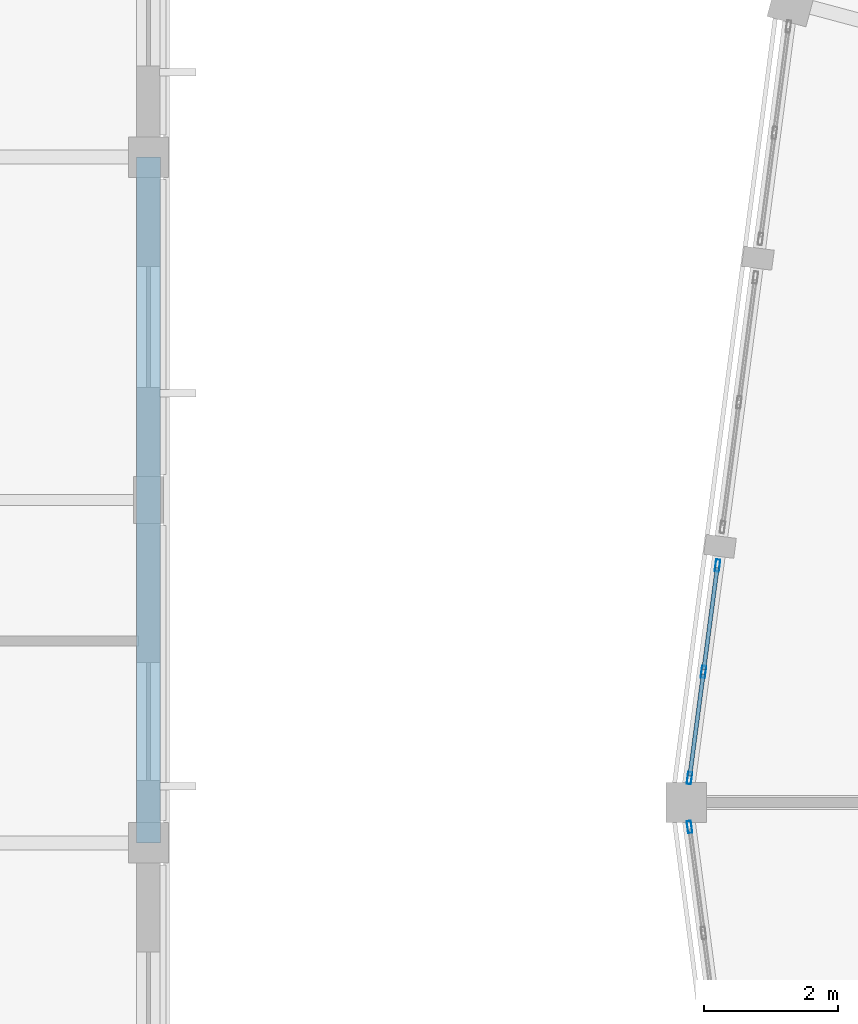
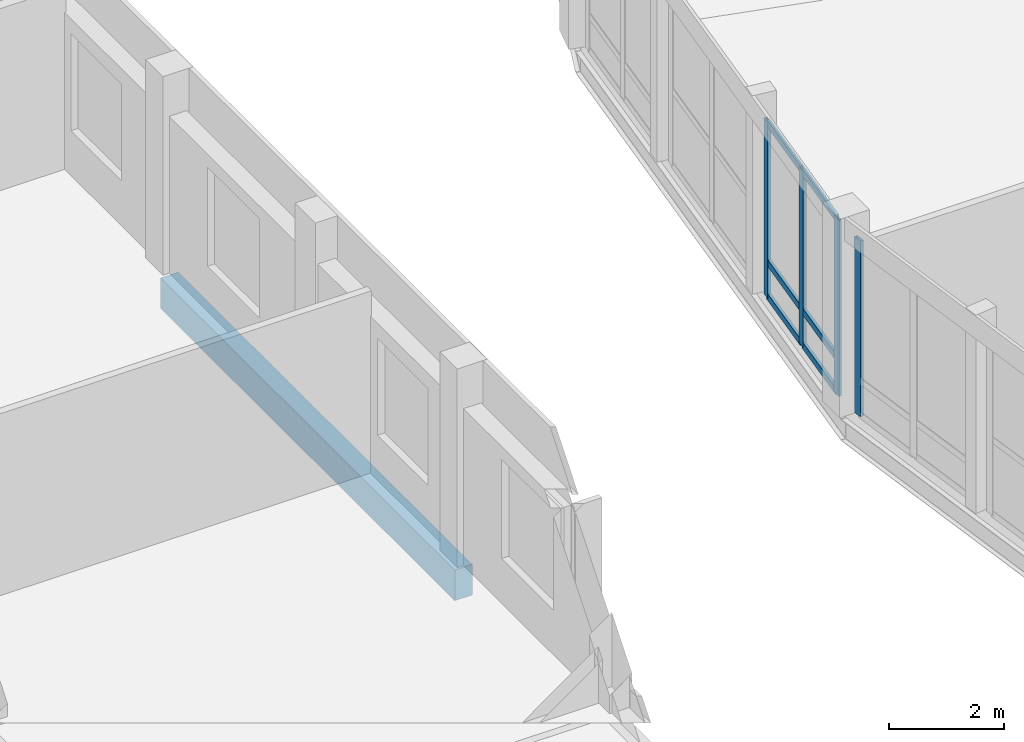
# One storey, part 60 of 185: 10 members, 1 beam, 2 elements without a shape of their own.
"""IFC4 building model written with IfcOpenShell, lengths in metres."""

from ifc_helpers import new_model, si_unit, direction, frame, origin, origin_2d, place, context, subcontext, project, spatial, rectangle, hollow_rectangle, extrude, material, material_profile, profile_set, type_object, element, aggregate, save


model = new_model("IFC4")

# Units and contexts
model_context = context("Model", 3, precision=1e-05, world=origin(), true_north=direction((0.0, 1.0)))
body_context = subcontext(model_context, "Body", "Model", "MODEL_VIEW")
ifc_project = project(units=[si_unit("LENGTHUNIT", "METRE"), si_unit("AREAUNIT", "SQUARE_METRE"), si_unit("VOLUMEUNIT", "CUBIC_METRE"), si_unit("PLANEANGLEUNIT", "RADIAN"), si_unit("MASSUNIT", "GRAM", prefix="KILO")], contexts=[model_context])

# Site, building, storey
site_placement = place(None, origin())
site = spatial("IfcSite", under=ifc_project, at=site_placement, CompositionType="ELEMENT")
building_placement = place(site_placement, origin())
building = spatial("IfcBuilding", under=site, at=building_placement, Name="Vondelvale Polytechnic", CompositionType="ELEMENT")
storey_placement = place(building_placement, frame((0.0, 0.0, 9.60009765625)))
storey = spatial("IfcBuildingStorey", under=building, at=storey_placement, Name="L02", CompositionType="ELEMENT", Elevation=9.60009765625)

# Curtain wall, members
ifc_material_1 = material(Name="Glulam GL18 structural Tasmanian oak (fb = 42 MPa)", Category="wood")
curtain_wall_type = type_object("IfcCurtainWallType", Name="CW-RING-OUTER", PredefinedType="NOTDEFINED", material=ifc_material_1)
curtain_wall_1_placement = place(storey_placement, origin())
curtain_wall_1 = element("IfcCurtainWall", 1, at=curtain_wall_1_placement, inside=storey, type_object=curtain_wall_type, Name="L02 architectural curtain wall CW-04-251", PredefinedType="NOTDEFINED")
ifc_material_2 = material(Name="Anodised extruded aluminium 6063-T6", Category="aluminium")
ifc_material_profile_1 = material_profile(ifc_material_2, hollow_rectangle(XDim=0.06494140625, YDim=0.179931640625, WallThickness=0.00390625, at=origin_2d()), Name="CW-MUL-180x65")
ifc_profile_set_1 = profile_set([ifc_material_profile_1], Name="Anodised extruded aluminium 6063-T6")
member_type_1 = type_object("IfcMemberType", Name="CW-MUL-65x180", PredefinedType="MULLION", material=ifc_profile_set_1)
member_1_placement = place(storey_placement, frame((56.464111328125, 75.524658203125, 0.0), z_axis=(0.0, 0.0, 1.0), x_axis=(0.991443102996, -0.130539547729, 0.0)))
member_1 = element("IfcMember", 2, at=member_1_placement, type_object=member_type_1, Name="CW-04-251 mullion 1", PredefinedType="MULLION", context=body_context, shape_type="SweptSolid", body=[
    extrude(hollow_rectangle(XDim=0.06494140625, YDim=0.179931640625, WallThickness=0.00390625, at=origin_2d()), origin(), (0.0, 0.0, 1.0), 3.719970703125),
])
member_2_placement = place(storey_placement, frame((56.255859375, 73.943359375, 0.0), z_axis=(0.0, 0.0, 1.0), x_axis=(0.991443102996, -0.130539547729, 0.0)))
member_2 = element("IfcMember", 3, at=member_2_placement, type_object=member_type_1, Name="CW-04-251 mullion 2", PredefinedType="MULLION", context=body_context, shape_type="SweptSolid", body=[
    extrude(hollow_rectangle(XDim=0.06494140625, YDim=0.179931640625, WallThickness=0.00390625, at=origin_2d()), origin(), (0.0, 0.0, 1.0), 3.719970703125),
])
member_3_placement = place(storey_placement, frame((56.047607421875, 72.362060546875, 0.0), z_axis=(0.0, 0.0, 1.0), x_axis=(0.991443102996, -0.130539547729, 0.0)))
member_3 = element("IfcMember", 4, at=member_3_placement, type_object=member_type_1, Name="CW-04-251 mullion 3", PredefinedType="MULLION", context=body_context, shape_type="SweptSolid", body=[
    extrude(hollow_rectangle(XDim=0.06494140625, YDim=0.179931640625, WallThickness=0.00390625, at=origin_2d()), origin(), (0.0, 0.0, 1.0), 3.719970703125),
])

# Curtain wall, member
curtain_wall_2_placement = place(storey_placement, origin())
curtain_wall_2 = element("IfcCurtainWall", 5, at=curtain_wall_2_placement, inside=storey, type_object=curtain_wall_type, Name="L02 architectural curtain wall CW-04-264", PredefinedType="NOTDEFINED")
member_4_placement = place(storey_placement, frame((56.047607421875, 71.637939453125, 0.0), z_axis=(0.0, 0.0, 1.0), x_axis=(0.991443102996, 0.130539547729, 0.0)))
member_4 = element("IfcMember", 6, at=member_4_placement, type_object=member_type_1, Name="CW-04-264 mullion 1", PredefinedType="MULLION", context=body_context, shape_type="SweptSolid", body=[
    extrude(hollow_rectangle(XDim=0.06494140625, YDim=0.179931640625, WallThickness=0.00390625, at=origin_2d()), origin(), (0.0, 0.0, 1.0), 3.719970703125),
])
aggregate(curtain_wall_2, [member_4])

# Member
ifc_material_profile_2 = material_profile(ifc_material_2, hollow_rectangle(XDim=0.06005859375, YDim=0.139892578125, WallThickness=0.00341796875, at=origin_2d()), Name="CW-TRN-140x60")
ifc_profile_set_2 = profile_set([ifc_material_profile_2], Name="Anodised extruded aluminium 6063-T6")
member_type_2 = type_object("IfcMemberType", Name="CW-TRN-60x140", PredefinedType="USERDEFINED", material=ifc_profile_set_2)
member_5_placement = place(storey_placement, frame((56.459716796875, 75.49267578125, 0.02978515625), z_axis=(-0.130512293736, -0.991446691045, 0.0), x_axis=(0.991446691045, -0.130512293736, 0.0)))
member_5 = element("IfcMember", 7, at=member_5_placement, type_object=member_type_2, Name="CW-04-251 transom 1.1", ObjectType="TRANSOM", PredefinedType="USERDEFINED", context=body_context, shape_type="SweptSolid", body=[
    extrude(hollow_rectangle(XDim=0.06005859375, YDim=0.139892578125, WallThickness=0.00341796875, at=origin_2d()), origin(), (0.0, 0.0, 1.0), 1.5302734375),
])

member_6_placement = place(storey_placement, frame((56.459716796875, 75.49267578125, 0.75), z_axis=(-0.130512293736, -0.991446691045, 0.0), x_axis=(0.991446691045, -0.130512293736, 0.0)))
member_6 = element("IfcMember", 8, at=member_6_placement, type_object=member_type_2, Name="CW-04-251 transom 1.2", ObjectType="TRANSOM", PredefinedType="USERDEFINED", context=body_context, shape_type="SweptSolid", body=[
    extrude(hollow_rectangle(XDim=0.06005859375, YDim=0.139892578125, WallThickness=0.00341796875, at=origin_2d()), origin(), (0.0, 0.0, 1.0), 1.5302734375),
])

member_7_placement = place(storey_placement, frame((56.459716796875, 75.49267578125, 3.68994140625), z_axis=(-0.130512293736, -0.991446691045, 0.0), x_axis=(0.991446691045, -0.130512293736, 0.0)))
member_7 = element("IfcMember", 9, at=member_7_placement, type_object=member_type_2, Name="CW-04-251 transom 1.3", ObjectType="TRANSOM", PredefinedType="USERDEFINED", context=body_context, shape_type="SweptSolid", body=[
    extrude(hollow_rectangle(XDim=0.06005859375, YDim=0.139892578125, WallThickness=0.00341796875, at=origin_2d()), origin(), (0.0, 0.0, 1.0), 1.5302734375),
])

member_8_placement = place(storey_placement, frame((56.251708984375, 73.9111328125, 0.02978515625), z_axis=(-0.130532942165, -0.991443972703, 0.0), x_axis=(0.991443972703, -0.130532942165, 0.0)))
member_8 = element("IfcMember", 10, at=member_8_placement, type_object=member_type_2, Name="CW-04-251 transom 2.1", ObjectType="TRANSOM", PredefinedType="USERDEFINED", context=body_context, shape_type="SweptSolid", body=[
    extrude(hollow_rectangle(XDim=0.06005859375, YDim=0.139892578125, WallThickness=0.00341796875, at=origin_2d()), origin(), (0.0, 0.0, 1.0), 1.530029296875),
])

member_9_placement = place(storey_placement, frame((56.251708984375, 73.9111328125, 0.75), z_axis=(-0.130532942165, -0.991443972703, 0.0), x_axis=(0.991443972703, -0.130532942165, 0.0)))
member_9 = element("IfcMember", 11, at=member_9_placement, type_object=member_type_2, Name="CW-04-251 transom 2.2", ObjectType="TRANSOM", PredefinedType="USERDEFINED", context=body_context, shape_type="SweptSolid", body=[
    extrude(hollow_rectangle(XDim=0.06005859375, YDim=0.139892578125, WallThickness=0.00341796875, at=origin_2d()), origin(), (0.0, 0.0, 1.0), 1.530029296875),
])

member_10_placement = place(storey_placement, frame((56.251708984375, 73.9111328125, 3.68994140625), z_axis=(-0.130532942165, -0.991443972703, 0.0), x_axis=(0.991443972703, -0.130532942165, 0.0)))
member_10 = element("IfcMember", 12, at=member_10_placement, type_object=member_type_2, Name="CW-04-251 transom 2.3", ObjectType="TRANSOM", PredefinedType="USERDEFINED", context=body_context, shape_type="SweptSolid", body=[
    extrude(hollow_rectangle(XDim=0.06005859375, YDim=0.139892578125, WallThickness=0.00341796875, at=origin_2d()), origin(), (0.0, 0.0, 1.0), 1.530029296875),
])

aggregate(curtain_wall_1, [member_1, member_2, member_3, member_5, member_6, member_7, member_8, member_9, member_10])

# Beam
ifc_material_3 = material(Name="Precast concrete N40 (f'c = 40 MPa)", Category="concrete")
ifc_material_profile_3 = material_profile(ifc_material_3, rectangle(XDim=0.35009765625, YDim=0.64990234375, at=origin_2d()), Name="RC-SPN-350x650")
ifc_profile_set_3 = profile_set([ifc_material_profile_3], Name="Precast concrete N40 (f'c = 40 MPa)")
beam_type = type_object("IfcBeamType", Name="SPN-PRE350x650", PredefinedType="SPANDREL", material=ifc_profile_set_3)
beam_placement = place(storey_placement, frame((48.0, 71.39990234375, -0.60498046875), z_axis=(0.0, 1.0, 0.0), x_axis=(-1.0, 0.0, 0.0)))
element("IfcBeam", 13, at=beam_placement, inside=storey, type_object=beam_type, Name="L02 B SP-02", PredefinedType="SPANDREL", context=body_context, shape_type="SweptSolid", body=[
    extrude(rectangle(XDim=0.35009765625, YDim=0.64990234375, at=origin_2d()), origin(), (0.0, 0.0, 1.0), 10.2001953125),
])

save(model, "model.ifc")
